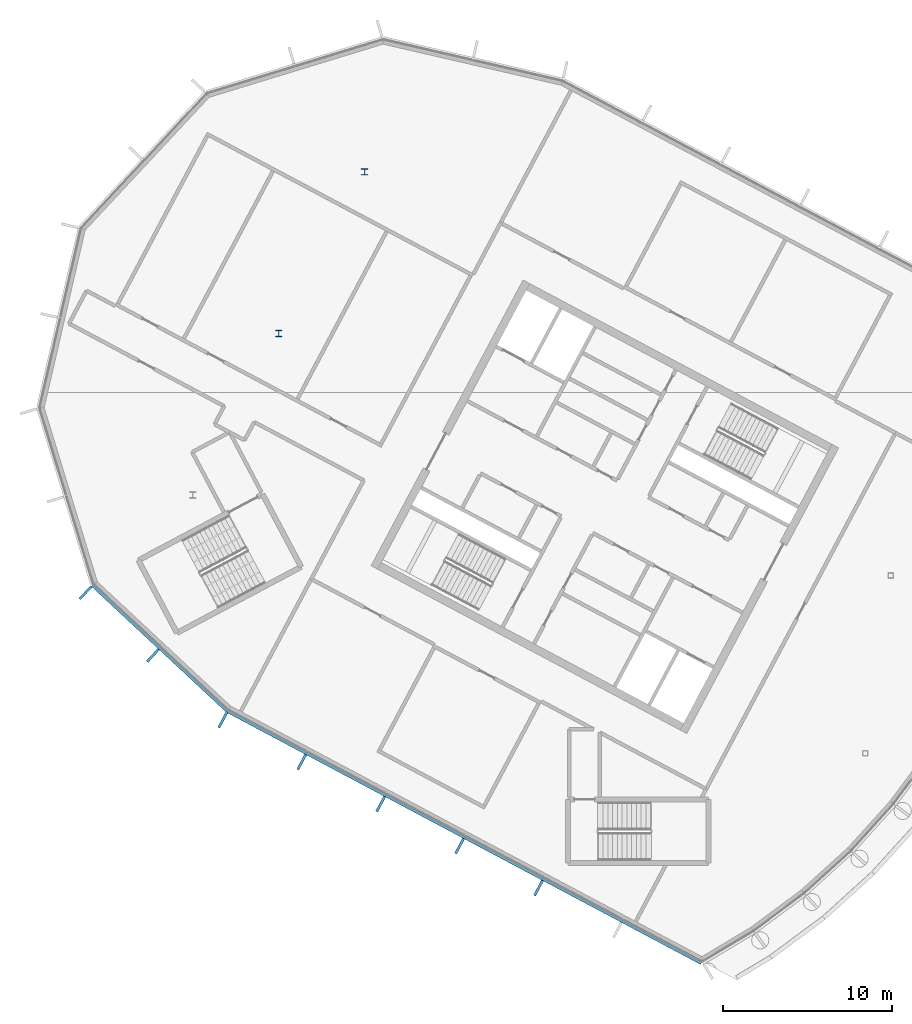
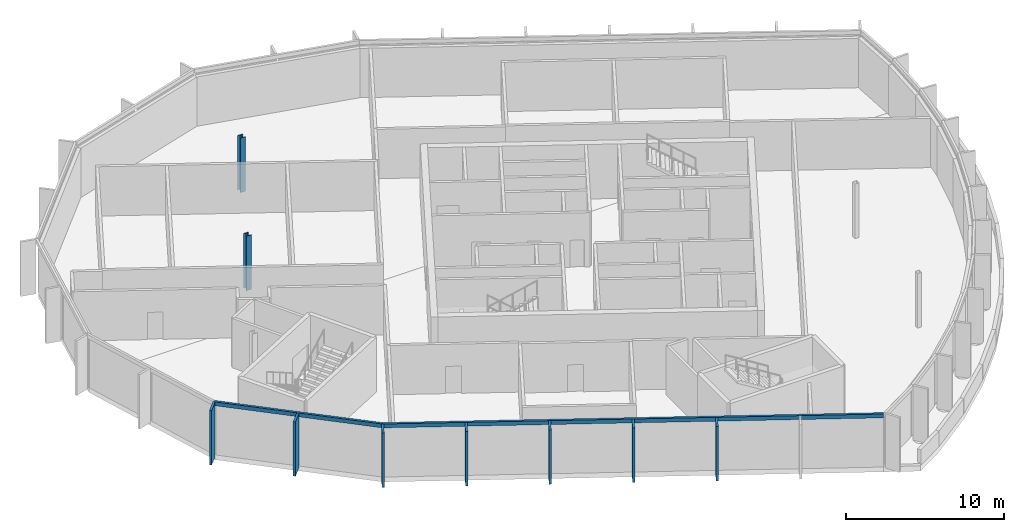
# One storey, part 3 of 16: 9 members, 2 columns, 2 elements without a shape of their own.
"""IFC4 building model written with IfcOpenShell, lengths in metres."""

from ifc_helpers import new_model, si_unit, direction, frame, origin, origin_2d, place, context, subcontext, project, spatial, rectangle, i_section, extrude, material, layer, layer_set, material_profile, profile_set, type_object, element, aggregate, save


model = new_model("IFC4")

# Units and contexts
model_context = context("Model", 3, precision=1e-05, world=origin(), true_north=direction((0.0, 1.0)))
body_context = subcontext(model_context, "Body", "Model", "MODEL_VIEW")
ifc_project = project(units=[si_unit("LENGTHUNIT", "METRE"), si_unit("AREAUNIT", "SQUARE_METRE"), si_unit("VOLUMEUNIT", "CUBIC_METRE"), si_unit("PLANEANGLEUNIT", "RADIAN"), si_unit("MASSUNIT", "GRAM", prefix="KILO")], contexts=[model_context])

# Site, building, storey
site_placement = place(None, origin())
site = spatial("IfcSite", under=ifc_project, at=site_placement, CompositionType="ELEMENT")
building_placement = place(site_placement, origin())
building = spatial("IfcBuilding", under=site, at=building_placement, Name="Cormorant Relay Tower", CompositionType="ELEMENT")
storey_placement = place(building_placement, frame((0.0, 0.0, 345.0)))
storey = spatial("IfcBuildingStorey", under=building, at=storey_placement, Name="C5", CompositionType="ELEMENT", Elevation=345.0)

# Columns
ifc_material_1 = material(Name="Steel ASTM A992 (Fy 345 MPa)", Category="steel")
ifc_material_profile_1 = material_profile(ifc_material_1, i_section(OverallWidth=0.373291015625, OverallDepth=0.373291015625, WebThickness=0.016357421875, FlangeThickness=0.026123046875, FilletRadius=0.01513671875, at=origin_2d()), Name="W360x196")
ifc_profile_set_1 = profile_set([ifc_material_profile_1], Name="Steel ASTM A992 (Fy 345 MPa)")
column_type = type_object("IfcColumnType", Name="Column W360x196", PredefinedType="COLUMN", material=ifc_profile_set_1)
for number, where, z_axis, x_axis, name in (
    (1, (-46.6201171875, 24.7880859375, 0.0), (0.0, 0.0, 1.0), (1.0, 0.0, 0.0), "Column C5-004"),
    (2, (-41.549072265625, 34.323974609375, 0.0), (0.0, 0.0, 1.0), (1.0, 0.0, 0.0), "Column C5-005"),
):
    element("IfcColumn", number, at=place(storey_placement, frame(where, z_axis=z_axis, x_axis=x_axis)), inside=storey, type_object=column_type, Name=name, PredefinedType="COLUMN", context=body_context, shape_type="SweptSolid", body=[
        extrude(i_section(OverallWidth=0.373291015625, OverallDepth=0.373291015625, WebThickness=0.016357421875, FlangeThickness=0.026123046875, FilletRadius=0.01513671875, at=origin_2d()), origin(), (0.0, 0.0, 1.0), 4.199951171875),
    ])

# Curtain wall, members
ifc_material_2 = material(Name="Aluminium 6063-T6 anodised bronze", Category="aluminium")
ifc_layer = layer(ifc_material_2, 0.199951171875)
ifc_layer_set = layer_set([ifc_layer], Name="CW3 crown screen wall")
curtain_wall_type = type_object("IfcCurtainWallType", Name="CW3 crown screen wall", PredefinedType="NOTDEFINED", material=ifc_layer_set)
curtain_wall_1_placement = place(storey_placement, origin())
curtain_wall_1 = element("IfcCurtainWall", 3, at=curtain_wall_1_placement, inside=storey, type_object=curtain_wall_type, Name="CW3 curtain wall 1", PredefinedType="NOTDEFINED")
ifc_material_3 = material(Name="Aluminium 6063-T6 anodised bronze", Category="aluminium")
ifc_material_profile_2 = material_profile(ifc_material_3, rectangle(XDim=0.14990234375, YDim=1.0, at=origin_2d()), Name="AL 150x1000")
ifc_profile_set_2 = profile_set([ifc_material_profile_2], Name="Aluminium 6063-T6 anodised bronze")
member_type_1 = type_object("IfcMemberType", Name="CW3 bronze fin mullion 150 x 1000", PredefinedType="MULLION", material=ifc_profile_set_2)
member_1_placement = place(storey_placement, frame((-49.920166015625, 1.96630859375, 0.0), z_axis=(0.0, 0.0, 1.0), x_axis=(0.882947592859, -0.469471562786, 0.0)))
member_1 = element("IfcMember", 4, at=member_1_placement, type_object=member_type_1, Name="CW3 fin 1.1", PredefinedType="MULLION", context=body_context, shape_type="SweptSolid", body=[
    extrude(rectangle(XDim=0.14990234375, YDim=1.0, at=origin_2d()), origin(), (0.0, 0.0, 1.0), 4.199951171875),
])
member_2_placement = place(storey_placement, frame((-45.261474609375, -0.510986328125, 0.0), z_axis=(0.0, 0.0, 1.0), x_axis=(0.882947592859, -0.469471562786, 0.0)))
member_2 = element("IfcMember", 5, at=member_2_placement, type_object=member_type_1, Name="CW3 fin 1.2", PredefinedType="MULLION", context=body_context, shape_type="SweptSolid", body=[
    extrude(rectangle(XDim=0.14990234375, YDim=1.0, at=origin_2d()), origin(), (0.0, 0.0, 1.0), 4.199951171875),
])
member_3_placement = place(storey_placement, frame((-40.6025390625, -2.988037109375, 0.0), z_axis=(0.0, 0.0, 1.0), x_axis=(0.882947592859, -0.469471562786, 0.0)))
member_3 = element("IfcMember", 6, at=member_3_placement, type_object=member_type_1, Name="CW3 fin 1.3", PredefinedType="MULLION", context=body_context, shape_type="SweptSolid", body=[
    extrude(rectangle(XDim=0.14990234375, YDim=1.0, at=origin_2d()), origin(), (0.0, 0.0, 1.0), 4.199951171875),
])
member_4_placement = place(storey_placement, frame((-35.94384765625, -5.465087890625, 0.0), z_axis=(0.0, 0.0, 1.0), x_axis=(0.882947592859, -0.469471562786, 0.0)))
member_4 = element("IfcMember", 7, at=member_4_placement, type_object=member_type_1, Name="CW3 fin 1.4", PredefinedType="MULLION", context=body_context, shape_type="SweptSolid", body=[
    extrude(rectangle(XDim=0.14990234375, YDim=1.0, at=origin_2d()), origin(), (0.0, 0.0, 1.0), 4.199951171875),
])
member_5_placement = place(storey_placement, frame((-31.284912109375, -7.942138671875, 0.0), z_axis=(0.0, 0.0, 1.0), x_axis=(0.882947592859, -0.469471562786, 0.0)))
member_5 = element("IfcMember", 8, at=member_5_placement, type_object=member_type_1, Name="CW3 fin 1.5", PredefinedType="MULLION", context=body_context, shape_type="SweptSolid", body=[
    extrude(rectangle(XDim=0.14990234375, YDim=1.0, at=origin_2d()), origin(), (0.0, 0.0, 1.0), 4.199951171875),
])

curtain_wall_2_placement = place(storey_placement, origin())
curtain_wall_2 = element("IfcCurtainWall", 9, at=curtain_wall_2_placement, inside=storey, type_object=curtain_wall_type, Name="CW3 curtain wall 20", PredefinedType="NOTDEFINED")
member_6_placement = place(storey_placement, frame((-58.01904296875, 9.486083984375, 0.0), z_axis=(0.0, 0.0, 1.0), x_axis=(0.731353701619, -0.681998360062, 0.0)))
member_6 = element("IfcMember", 10, at=member_6_placement, type_object=member_type_1, Name="CW3 fin 20.1", PredefinedType="MULLION", context=body_context, shape_type="SweptSolid", body=[
    extrude(rectangle(XDim=0.14990234375, YDim=1.0, at=origin_2d()), origin(), (0.0, 0.0, 1.0), 4.199951171875),
])
member_7_placement = place(storey_placement, frame((-54.0439453125, 5.779296875, 0.0), z_axis=(0.0, 0.0, 1.0), x_axis=(0.731353701619, -0.681998360062, 0.0)))
member_7 = element("IfcMember", 11, at=member_7_placement, type_object=member_type_1, Name="CW3 fin 20.2", PredefinedType="MULLION", context=body_context, shape_type="SweptSolid", body=[
    extrude(rectangle(XDim=0.14990234375, YDim=1.0, at=origin_2d()), origin(), (0.0, 0.0, 1.0), 4.199951171875),
])

# Member
ifc_material_4 = material(Name="Aluminium 6063-T6 anodised bronze", Category="aluminium")
ifc_material_profile_3 = material_profile(ifc_material_4, rectangle(XDim=0.159912109375, YDim=0.300048828125, at=origin_2d()), Name="AL 160x300")
ifc_profile_set_3 = profile_set([ifc_material_profile_3], Name="Aluminium 6063-T6 anodised bronze")
member_type_2 = type_object("IfcMemberType", Name="CW3 bronze transom 160 x 300", PredefinedType="USERDEFINED", material=ifc_profile_set_3)
member_8_placement = place(storey_placement, frame((-49.64794921875, 2.478515625, 4.050048828125), z_axis=(0.882944624389, -0.469477145624, 0.0), x_axis=(0.469477145624, 0.882944624389, 0.0)))
member_8 = element("IfcMember", 12, at=member_8_placement, type_object=member_type_2, Name="CW3 transom 1", ObjectType="TRANSOM", PredefinedType="USERDEFINED", context=body_context, shape_type="SweptSolid", body=[
    extrude(rectangle(XDim=0.159912109375, YDim=0.300048828125, at=origin_2d()), origin(), (0.0, 0.0, 1.0), 31.65869140625),
])

aggregate(curtain_wall_1, [member_1, member_2, member_3, member_4, member_5, member_8])

member_9_placement = place(storey_placement, frame((-57.62353515625, 9.91015625, 4.050048828125), z_axis=(0.731358420696, -0.681993299437, 0.0), x_axis=(0.681993299437, 0.731358420696, 0.0)))
member_9 = element("IfcMember", 13, at=member_9_placement, type_object=member_type_2, Name="CW3 transom 20", ObjectType="TRANSOM", PredefinedType="USERDEFINED", context=body_context, shape_type="SweptSolid", body=[
    extrude(rectangle(XDim=0.159912109375, YDim=0.300048828125, at=origin_2d()), origin(), (0.0, 0.0, 1.0), 10.870361328125),
])

aggregate(curtain_wall_2, [member_6, member_7, member_9])

save(model, "model.ifc")
